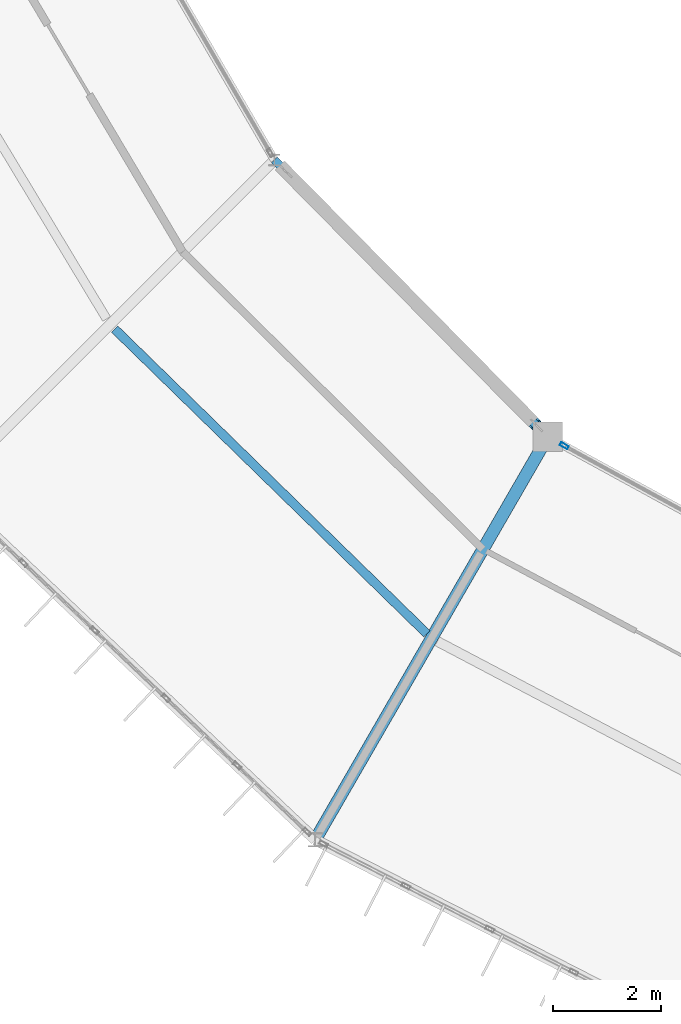
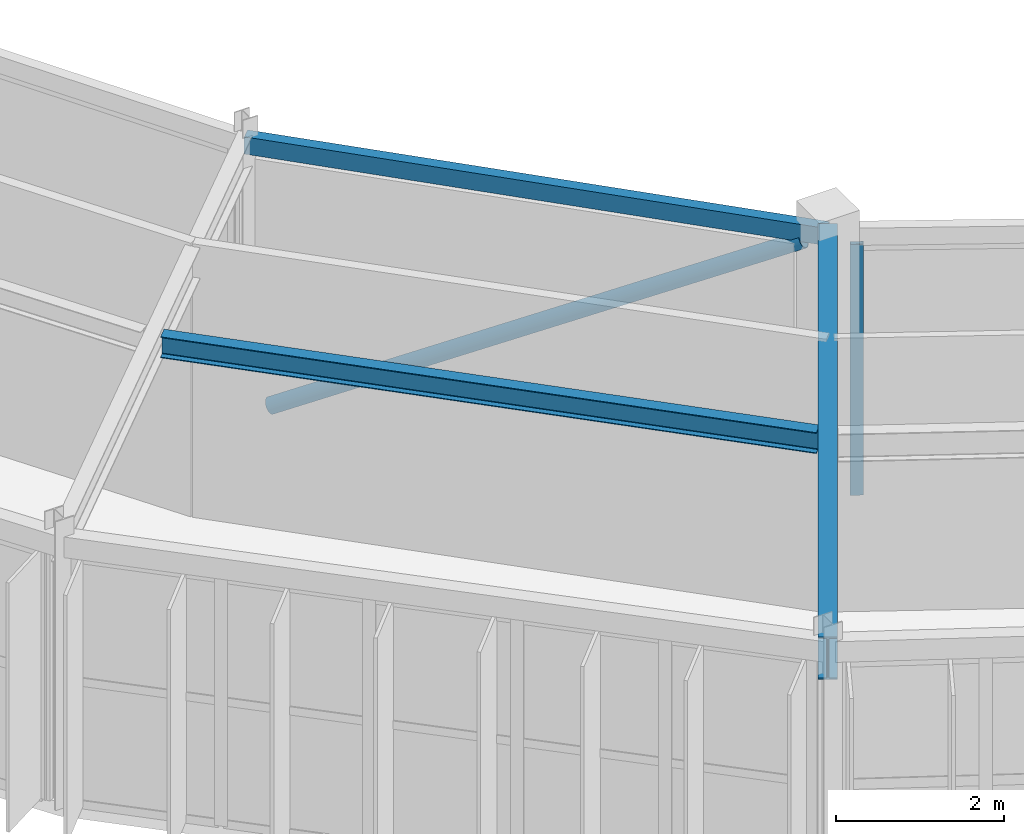
# One storey, part 37 of 157: 3 beams, 2 members, 1 element without a shape of its own.
"""IFC4 building model written with IfcOpenShell, lengths in metres."""

from ifc_helpers import new_model, si_unit, direction, frame, origin, origin_2d, place, context, subcontext, project, spatial, hollow_rectangle, hollow_circle, i_section, extrude, material, material_profile, profile_set, type_object, element, aggregate, save


model = new_model("IFC4")

# Units and contexts
model_context = context("Model", 3, precision=1e-05, world=origin(), true_north=direction((0.0, 1.0)))
body_context = subcontext(model_context, "Body", "Model", "MODEL_VIEW")
ifc_project = project(units=[si_unit("LENGTHUNIT", "METRE"), si_unit("AREAUNIT", "SQUARE_METRE"), si_unit("VOLUMEUNIT", "CUBIC_METRE"), si_unit("PLANEANGLEUNIT", "RADIAN"), si_unit("MASSUNIT", "GRAM", prefix="KILO")], contexts=[model_context])

# Site, building, storey
site_placement = place(None, origin())
site = spatial("IfcSite", under=ifc_project, at=site_placement, CompositionType="ELEMENT")
building_placement = place(site_placement, origin())
building = spatial("IfcBuilding", under=site, at=building_placement, Name="Karori Crest Natural Sciences Institute", CompositionType="ELEMENT")
storey_placement = place(building_placement, frame((0.0, 0.0, 13.300048828125)))
storey = spatial("IfcBuildingStorey", under=building, at=storey_placement, Name="L03", CompositionType="ELEMENT", Elevation=13.300048828125)

# Beams
ifc_material_1 = material(Name="Structural steel AS/NZS 3679.1 Grade 350", Category="steel")
ifc_material_profile_1 = material_profile(ifc_material_1, i_section(OverallWidth=0.22900390625, OverallDepth=0.612060546875, WebThickness=0.011962890625, FlangeThickness=0.01953125, FilletRadius=0.013916015625, at=origin_2d()), Name="610UB125")
ifc_profile_set_1 = profile_set([ifc_material_profile_1], Name="Structural steel AS/NZS 3679.1 Grade 350")
beam_type_1 = type_object("IfcBeamType", Name="BT-04", PredefinedType="BEAM", material=ifc_profile_set_1)
beam_1_placement = place(storey_placement, frame((54.199951171875, 22.013916015625, 3.634033203125), z_axis=(-0.500007509209, -0.866021068297, 0.0), x_axis=(0.866021068297, -0.500007509209, 0.0)))
element("IfcBeam", 1, at=beam_1_placement, inside=storey, type_object=beam_type_1, Name="Beam B-0422", PredefinedType="BEAM", context=body_context, shape_type="SweptSolid", body=[
    extrude(i_section(OverallWidth=0.22900390625, OverallDepth=0.612060546875, WebThickness=0.011962890625, FlangeThickness=0.01953125, FilletRadius=0.013916015625, at=origin_2d()), origin(), (0.0, 0.0, 1.0), 8.599853515625),
])
ifc_material_profile_2 = material_profile(ifc_material_1, i_section(OverallWidth=0.166015625, OverallDepth=0.306884765625, WebThickness=0.006591796875, FlangeThickness=0.01171875, FilletRadius=0.010986328125, at=origin_2d()), Name="310UB46.2")
ifc_profile_set_2 = profile_set([ifc_material_profile_2], Name="Structural steel AS/NZS 3679.1 Grade 350")
beam_type_2 = type_object("IfcBeamType", Name="BT-09", PredefinedType="BEAM", material=ifc_profile_set_2)
beam_2_placement = place(storey_placement, frame((46.19189453125, 24.0068359375, 3.786376953125), z_axis=(0.715681193625, -0.698427110794, 0.0), x_axis=(0.698427110794, 0.715681193625, 0.0)))
element("IfcBeam", 2, at=beam_2_placement, inside=storey, type_object=beam_type_2, Name="Beam B-0419", PredefinedType="BEAM", context=body_context, shape_type="SweptSolid", body=[
    extrude(i_section(OverallWidth=0.166015625, OverallDepth=0.306884765625, WebThickness=0.006591796875, FlangeThickness=0.01171875, FilletRadius=0.010986328125, at=origin_2d()), origin(), (0.0, 0.0, 1.0), 8.0654296875),
])
ifc_material_2 = material(Name="Hollow structural steel AS/NZS 1163 Grade C350", Category="steel")
ifc_material_profile_3 = material_profile(ifc_material_2, hollow_rectangle(XDim=0.14990234375, YDim=0.25, WallThickness=0.009033203125, at=origin_2d()), Name="RHS250x150x9")
ifc_profile_set_3 = profile_set([ifc_material_profile_3], Name="Hollow structural steel AS/NZS 1163 Grade C350")
beam_type_3 = type_object("IfcBeamType", Name="BT-16", PredefinedType="SPANDREL", material=ifc_profile_set_3)
beam_3_placement = place(storey_placement, frame((49.146484375, 27.131103515625, 3.7900390625), z_axis=(0.70266285879, -0.711522948946, 0.0), x_axis=(0.711522948946, 0.70266285879, 0.0)))
element("IfcBeam", 3, at=beam_3_placement, inside=storey, type_object=beam_type_3, Name="Beam B-0417", PredefinedType="SPANDREL", context=body_context, shape_type="SweptSolid", body=[
    extrude(hollow_rectangle(XDim=0.14990234375, YDim=0.25, WallThickness=0.009033203125, at=origin_2d()), origin(), (0.0, 0.0, 1.0), 7.19189453125),
])

# Curtain wall, member
ifc_material_3 = material(Name="Anodised architectural aluminium 6063-T6", Category="aluminium")
curtain_wall_type = type_object("IfcCurtainWallType", Name="CWT-12", PredefinedType="NOTDEFINED", material=ifc_material_3)
curtain_wall_placement = place(storey_placement, origin())
curtain_wall = element("IfcCurtainWall", 4, at=curtain_wall_placement, inside=storey, type_object=curtain_wall_type, Name="Curtain wall CW-0125", PredefinedType="NOTDEFINED")
ifc_material_profile_4 = material_profile(ifc_material_3, hollow_rectangle(XDim=0.06494140625, YDim=0.159912109375, WallThickness=0.00390625, at=origin_2d()), Name="CWM160x65x4")
ifc_profile_set_4 = profile_set([ifc_material_profile_4], Name="Anodised architectural aluminium 6063-T6")
member_type_1 = type_object("IfcMemberType", Name="CWM-01", PredefinedType="MULLION", material=ifc_profile_set_4)
member_1_placement = place(storey_placement, frame((54.501708984375, 21.84912109375, 0.0), z_axis=(0.0, 0.0, 1.0), x_axis=(0.479631017431, 0.877470277057, 0.0)))
member_1 = element("IfcMember", 5, at=member_1_placement, type_object=member_type_1, Name="CW-0125 mullion 1", PredefinedType="MULLION", context=body_context, shape_type="SweptSolid", body=[
    extrude(hollow_rectangle(XDim=0.06494140625, YDim=0.159912109375, WallThickness=0.00390625, at=origin_2d()), origin(), (0.0, 0.0, 1.0), 3.64990234375),
])
aggregate(curtain_wall, [member_1])

# Member
ifc_material_profile_5 = material_profile(ifc_material_2, hollow_circle(Radius=0.109619140625, WallThickness=0.00830078125, at=origin_2d()), Name="CHS219.1x8.2")
ifc_profile_set_5 = profile_set([ifc_material_profile_5], Name="Hollow structural steel AS/NZS 1163 Grade C350")
member_type_2 = type_object("IfcMemberType", Name="MT-02", PredefinedType="BRACE", material=ifc_profile_set_5)
member_2_placement = place(storey_placement, frame((49.357421875, 26.917724609375, 0.010009765625), z_axis=(0.615119484546, -0.62286845971, 0.483386906763), x_axis=(0.711518857686, 0.702667001614, 0.0)))
element("IfcMember", 6, at=member_2_placement, inside=storey, type_object=member_type_2, Name="Diagonal Brace M-0019", PredefinedType="BRACE", context=body_context, shape_type="SweptSolid", body=[
    extrude(hollow_circle(Radius=0.109619140625, WallThickness=0.00830078125, at=origin_2d()), origin(), (0.0, 0.0, 1.0), 7.530029296875),
])

save(model, "model.ifc")
